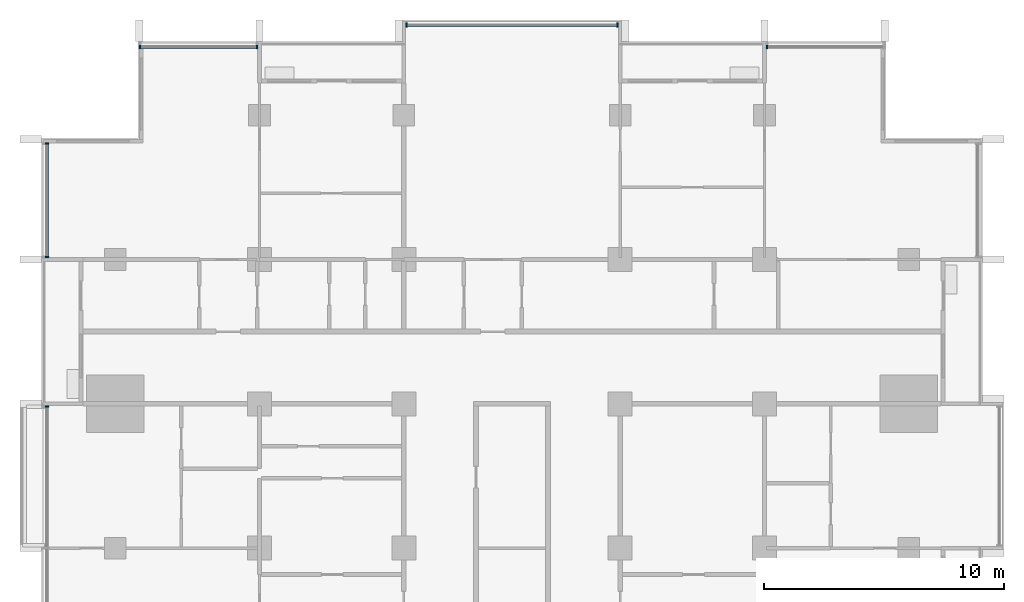
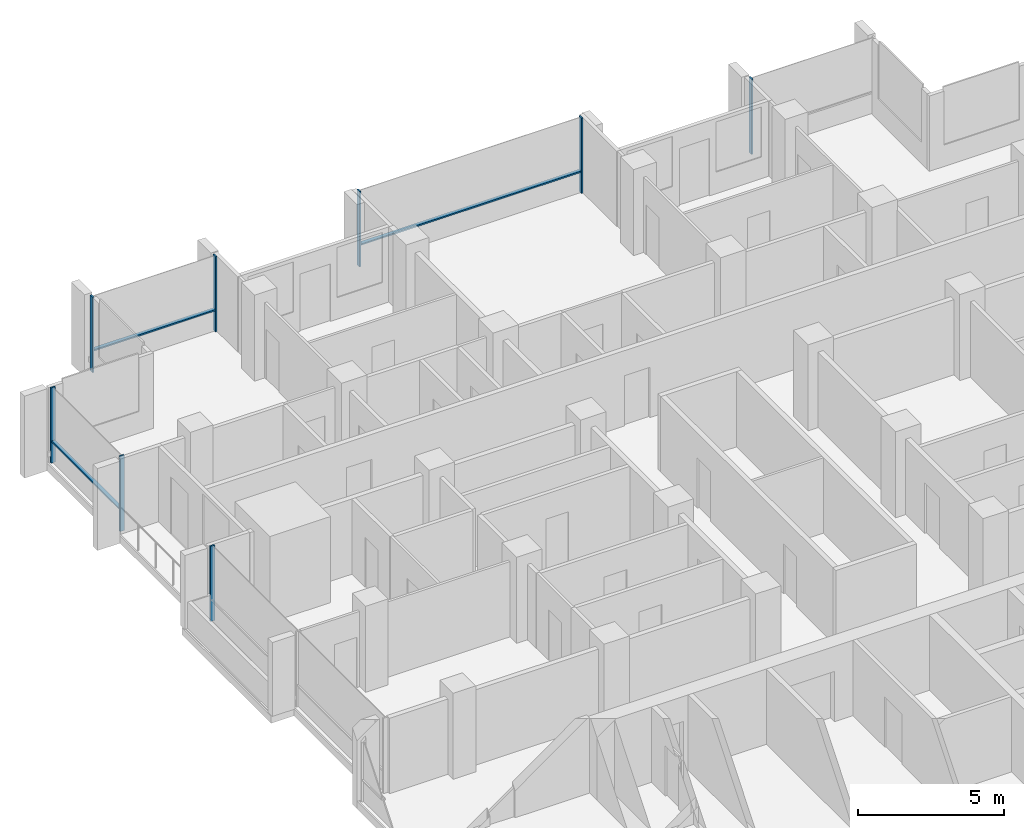
# One storey, part 4 of 17: 11 members, 5 elements without a shape of their own.
"""IFC4 building model written with IfcOpenShell, lengths in metres."""

from ifc_helpers import new_model, si_unit, direction, frame, origin, origin_2d, place, context, subcontext, project, spatial, rectangle, extrude, material, material_profile, profile_set, type_object, element, aggregate, save


model = new_model("IFC4")

# Units and contexts
model_context = context("Model", 3, precision=1e-05, world=origin(), true_north=direction((0.0, 1.0)))
body_context = subcontext(model_context, "Body", "Model", "MODEL_VIEW")
ifc_project = project(units=[si_unit("LENGTHUNIT", "METRE"), si_unit("AREAUNIT", "SQUARE_METRE"), si_unit("VOLUMEUNIT", "CUBIC_METRE"), si_unit("PLANEANGLEUNIT", "RADIAN"), si_unit("MASSUNIT", "GRAM", prefix="KILO")], contexts=[model_context])

# Site, building, storey
site_placement = place(None, origin())
site = spatial("IfcSite", under=ifc_project, at=site_placement, CompositionType="ELEMENT")
building_placement = place(site_placement, origin())
building = spatial("IfcBuilding", under=site, at=building_placement, Name="Finial Court Residences", CompositionType="ELEMENT")
storey_placement = place(building_placement, frame((0.0, 0.0, 196.10009765625)))
storey = spatial("IfcBuildingStorey", under=building, at=storey_placement, Name="L49", CompositionType="ELEMENT", Elevation=196.10009765625)

# Curtain wall, members
ifc_material = material(Name="Bronze anodised aluminium", Category="aluminium")
curtain_wall_type = type_object("IfcCurtainWallType", Name="Unitised curtain wall, upper zones", PredefinedType="NOTDEFINED", material=ifc_material)
curtain_wall_1_placement = place(storey_placement, origin())
curtain_wall_1 = element("IfcCurtainWall", 1, at=curtain_wall_1_placement, inside=storey, type_object=curtain_wall_type, Name="E-L49-CW-N1", PredefinedType="NOTDEFINED")
ifc_material_profile_1 = material_profile(ifc_material, rectangle(XDim=0.175048828125, YDim=0.06005859375, at=origin_2d()), Name="CW2 mullion 60 x 175")
ifc_profile_set_1 = profile_set([ifc_material_profile_1], Name="Bronze anodised aluminium")
member_type_1 = type_object("IfcMemberType", Name="CW2 mullion 60 x 175", PredefinedType="MULLION", material=ifc_profile_set_1)
member_1_placement = place(storey_placement, frame((-15.469970703125, 22.35009765625, 0.0), z_axis=(0.0, 0.0, 1.0), x_axis=(0.0, 1.0, 0.0)))
member_1 = element("IfcMember", 2, at=member_1_placement, type_object=member_type_1, Name="CW2 mullion 1", PredefinedType="MULLION", context=body_context, shape_type="SweptSolid", body=[
    extrude(rectangle(XDim=0.175048828125, YDim=0.06005859375, at=origin_2d()), origin(), (0.0, 0.0, 1.0), 3.14990234375),
])
member_2_placement = place(storey_placement, frame((-10.60498046875, 22.35009765625, 0.0), z_axis=(0.0, 0.0, 1.0), x_axis=(0.0, 1.0, 0.0)))
member_2 = element("IfcMember", 3, at=member_2_placement, type_object=member_type_1, Name="CW2 mullion 2", PredefinedType="MULLION", context=body_context, shape_type="SweptSolid", body=[
    extrude(rectangle(XDim=0.175048828125, YDim=0.06005859375, at=origin_2d()), origin(), (0.0, 0.0, 1.0), 3.14990234375),
])

curtain_wall_2_placement = place(storey_placement, origin())
curtain_wall_2 = element("IfcCurtainWall", 4, at=curtain_wall_2_placement, inside=storey, type_object=curtain_wall_type, Name="E-L49-CW-N2", PredefinedType="NOTDEFINED")
member_3_placement = place(storey_placement, frame((-4.39501953125, 23.25, 0.0), z_axis=(0.0, 0.0, 1.0), x_axis=(0.0, 1.0, 0.0)))
member_3 = element("IfcMember", 5, at=member_3_placement, type_object=member_type_1, Name="CW2 mullion 1", PredefinedType="MULLION", context=body_context, shape_type="SweptSolid", body=[
    extrude(rectangle(XDim=0.175048828125, YDim=0.06005859375, at=origin_2d()), origin(), (0.0, 0.0, 1.0), 3.14990234375),
])
member_4_placement = place(storey_placement, frame((4.39501953125, 23.25, 0.0), z_axis=(0.0, 0.0, 1.0), x_axis=(0.0, 1.0, 0.0)))
member_4 = element("IfcMember", 6, at=member_4_placement, type_object=member_type_1, Name="CW2 mullion 2", PredefinedType="MULLION", context=body_context, shape_type="SweptSolid", body=[
    extrude(rectangle(XDim=0.175048828125, YDim=0.06005859375, at=origin_2d()), origin(), (0.0, 0.0, 1.0), 3.14990234375),
])

# Curtain wall, member
curtain_wall_3_placement = place(storey_placement, origin())
curtain_wall_3 = element("IfcCurtainWall", 7, at=curtain_wall_3_placement, inside=storey, type_object=curtain_wall_type, Name="E-L49-CW-N3", PredefinedType="NOTDEFINED")
member_5_placement = place(storey_placement, frame((10.60498046875, 22.35009765625, 0.0), z_axis=(0.0, 0.0, 1.0), x_axis=(0.0, 1.0, 0.0)))
member_5 = element("IfcMember", 8, at=member_5_placement, type_object=member_type_1, Name="CW2 mullion 1", PredefinedType="MULLION", context=body_context, shape_type="SweptSolid", body=[
    extrude(rectangle(XDim=0.175048828125, YDim=0.06005859375, at=origin_2d()), origin(), (0.0, 0.0, 1.0), 3.14990234375),
])
aggregate(curtain_wall_3, [member_5])

curtain_wall_4_placement = place(storey_placement, origin())
curtain_wall_4 = element("IfcCurtainWall", 9, at=curtain_wall_4_placement, inside=storey, type_object=curtain_wall_type, Name="E-L49-CW-W11", PredefinedType="NOTDEFINED")
member_6_placement = place(storey_placement, frame((-19.35009765625, 7.39501953125, 0.0), z_axis=(0.0, 0.0, 1.0), x_axis=(-1.0, 0.0, 0.0)))
member_6 = element("IfcMember", 10, at=member_6_placement, type_object=member_type_1, Name="CW2 mullion 3", PredefinedType="MULLION", context=body_context, shape_type="SweptSolid", body=[
    extrude(rectangle(XDim=0.175048828125, YDim=0.06005859375, at=origin_2d()), origin(), (0.0, 0.0, 1.0), 3.14990234375),
])
aggregate(curtain_wall_4, [member_6])

# Curtain wall, members
curtain_wall_5_placement = place(storey_placement, origin())
curtain_wall_5 = element("IfcCurtainWall", 11, at=curtain_wall_5_placement, inside=storey, type_object=curtain_wall_type, Name="E-L49-CW-W12", PredefinedType="NOTDEFINED")
member_7_placement = place(storey_placement, frame((-19.35009765625, 13.60498046875, 0.0), z_axis=(0.0, 0.0, 1.0), x_axis=(-1.0, 0.0, 0.0)))
member_7 = element("IfcMember", 12, at=member_7_placement, type_object=member_type_1, Name="CW2 mullion 1", PredefinedType="MULLION", context=body_context, shape_type="SweptSolid", body=[
    extrude(rectangle(XDim=0.175048828125, YDim=0.06005859375, at=origin_2d()), origin(), (0.0, 0.0, 1.0), 3.14990234375),
])
member_8_placement = place(storey_placement, frame((-19.35009765625, 18.320068359375, 0.0), z_axis=(0.0, 0.0, 1.0), x_axis=(-1.0, 0.0, 0.0)))
member_8 = element("IfcMember", 13, at=member_8_placement, type_object=member_type_1, Name="CW2 mullion 2", PredefinedType="MULLION", context=body_context, shape_type="SweptSolid", body=[
    extrude(rectangle(XDim=0.175048828125, YDim=0.06005859375, at=origin_2d()), origin(), (0.0, 0.0, 1.0), 3.14990234375),
])

# Member
ifc_material_profile_2 = material_profile(ifc_material, rectangle(XDim=0.139892578125, YDim=0.06005859375, at=origin_2d()), Name="CW2 transom 60 x 140")
ifc_profile_set_2 = profile_set([ifc_material_profile_2], Name="Bronze anodised aluminium")
member_type_2 = type_object("IfcMemberType", Name="CW2 transom 60 x 140", PredefinedType="USERDEFINED", material=ifc_profile_set_2)
member_9_placement = place(storey_placement, frame((-15.43994140625, 22.35009765625, 0.89990234375), z_axis=(1.0, 0.0, 0.0), x_axis=(0.0, 1.0, 0.0)))
member_9 = element("IfcMember", 14, at=member_9_placement, type_object=member_type_2, Name="CW2 transom 1.1", ObjectType="TRANSOM", PredefinedType="USERDEFINED", context=body_context, shape_type="SweptSolid", body=[
    extrude(rectangle(XDim=0.139892578125, YDim=0.06005859375, at=origin_2d()), origin(), (0.0, 0.0, 1.0), 4.804931640625),
])

aggregate(curtain_wall_1, [member_1, member_2, member_9])

member_10_placement = place(storey_placement, frame((-4.364990234375, 23.25, 0.89990234375), z_axis=(1.0, 0.0, 0.0), x_axis=(0.0, 1.0, 0.0)))
member_10 = element("IfcMember", 15, at=member_10_placement, type_object=member_type_2, Name="CW2 transom 1.1", ObjectType="TRANSOM", PredefinedType="USERDEFINED", context=body_context, shape_type="SweptSolid", body=[
    extrude(rectangle(XDim=0.139892578125, YDim=0.06005859375, at=origin_2d()), origin(), (0.0, 0.0, 1.0), 8.72998046875),
])

aggregate(curtain_wall_2, [member_3, member_4, member_10])

member_11_placement = place(storey_placement, frame((-19.35009765625, 13.635009765625, 0.89990234375), z_axis=(0.0, 1.0, 0.0), x_axis=(-1.0, 0.0, 0.0)))
member_11 = element("IfcMember", 16, at=member_11_placement, type_object=member_type_2, Name="CW2 transom 1.1", ObjectType="TRANSOM", PredefinedType="USERDEFINED", context=body_context, shape_type="SweptSolid", body=[
    extrude(rectangle(XDim=0.139892578125, YDim=0.06005859375, at=origin_2d()), origin(), (0.0, 0.0, 1.0), 4.655029296875),
])

aggregate(curtain_wall_5, [member_7, member_8, member_11])

save(model, "model.ifc")
